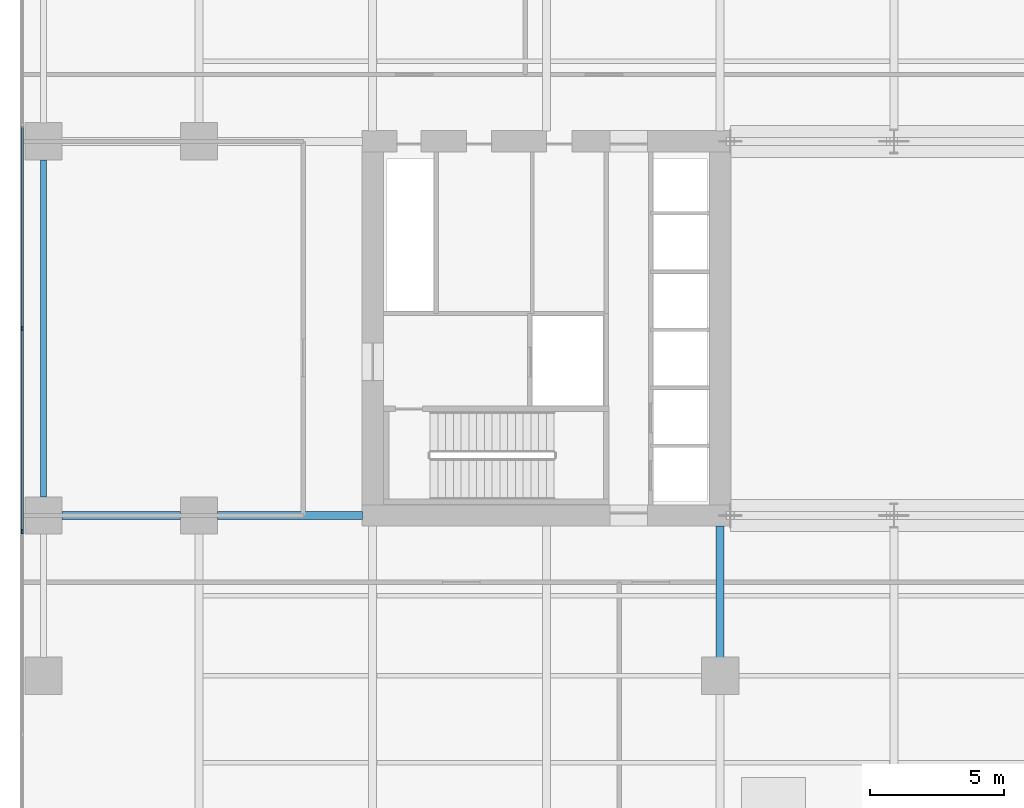
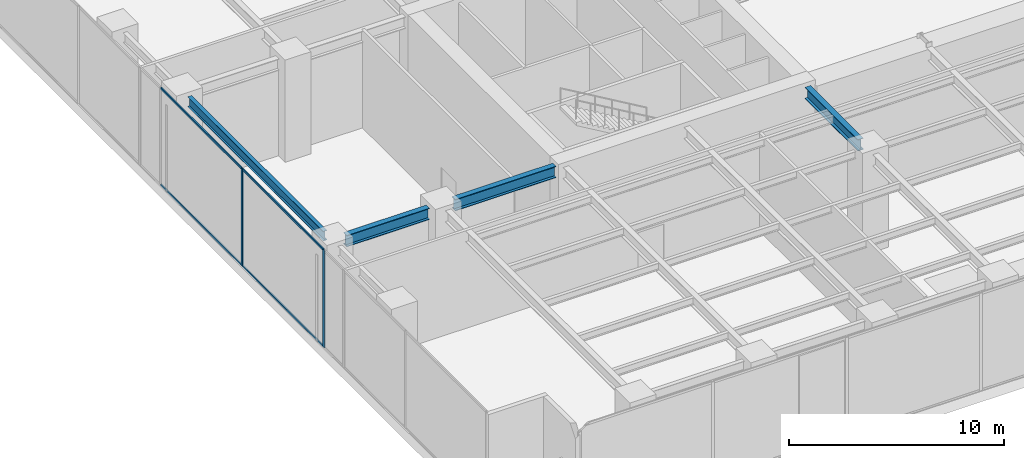
# One storey, part 5 of 25: 6 members, 4 beams, 1 element without a shape of its own.
"""IFC4 building model written with IfcOpenShell, lengths in metres."""

from ifc_helpers import new_model, si_unit, direction, frame, origin, origin_2d, place, context, subcontext, project, spatial, rectangle, i_section, extrude, material, layer, layer_set, material_profile, profile_set, type_object, element, aggregate, save


model = new_model("IFC4")

# Units and contexts
model_context = context("Model", 3, precision=1e-05, world=origin(), true_north=direction((0.0, 1.0)))
body_context = subcontext(model_context, "Body", "Model", "MODEL_VIEW")
ifc_project = project(units=[si_unit("LENGTHUNIT", "METRE"), si_unit("AREAUNIT", "SQUARE_METRE"), si_unit("VOLUMEUNIT", "CUBIC_METRE"), si_unit("PLANEANGLEUNIT", "RADIAN"), si_unit("MASSUNIT", "GRAM", prefix="KILO")], contexts=[model_context])

# Site, building, storey
site_placement = place(None, origin())
site = spatial("IfcSite", under=ifc_project, at=site_placement, CompositionType="ELEMENT")
building_placement = place(site_placement, origin())
building = spatial("IfcBuilding", under=site, at=building_placement, Name="Putna Gate Headquarters", CompositionType="ELEMENT")
storey_placement = place(building_placement, frame((0.0, 0.0, 22.0)))
storey = spatial("IfcBuildingStorey", under=building, at=storey_placement, Name="L04", CompositionType="ELEMENT", Elevation=22.0)

# Beams
ifc_material_1 = material(Name="Steel S355J2", Category="steel")
ifc_material_profile_1 = material_profile(ifc_material_1, i_section(OverallWidth=0.300048828125, OverallDepth=0.64990234375, WebThickness=0.01611328125, FlangeThickness=0.031005859375, at=origin_2d()), Name="Steel S355J2")
ifc_profile_set_1 = profile_set([ifc_material_profile_1], Name="Steel S355J2")
beam_type_1 = type_object("IfcBeamType", Name="BM-GIRD-Z1-HEB650", PredefinedType="USERDEFINED", material=ifc_profile_set_1)
beam_1_placement = place(storey_placement, frame((1.367919921875, 19.0, 5.22509765625), z_axis=(1.0, 0.0, 0.0), x_axis=(0.0, 1.0, 0.0)))
element("IfcBeam", 1, at=beam_1_placement, inside=storey, type_object=beam_type_1, Name="L04 West Wing Girder Y19-1", ObjectType="GIRDER", PredefinedType="USERDEFINED", context=body_context, shape_type="SweptSolid", body=[
    extrude(i_section(OverallWidth=0.300048828125, OverallDepth=0.64990234375, WebThickness=0.01611328125, FlangeThickness=0.031005859375, at=origin_2d()), origin(), (0.0, 0.0, 1.0), 4.444091796875),
])
beam_2_placement = place(storey_placement, frame((7.18798828125, 19.0, 5.22509765625), z_axis=(1.0, 0.0, 0.0), x_axis=(0.0, 1.0, 0.0)))
element("IfcBeam", 2, at=beam_2_placement, inside=storey, type_object=beam_type_1, Name="L04 West Wing Girder Y19-2", ObjectType="GIRDER", PredefinedType="USERDEFINED", context=body_context, shape_type="SweptSolid", body=[
    extrude(i_section(OverallWidth=0.300048828125, OverallDepth=0.64990234375, WebThickness=0.01611328125, FlangeThickness=0.031005859375, at=origin_2d()), origin(), (0.0, 0.0, 1.0), 5.427001953125),
])
beam_3_placement = place(storey_placement, frame((26.0, 13.68798828125, 5.22509765625), z_axis=(0.0, 1.0, 0.0), x_axis=(-1.0, 0.0, 0.0)))
element("IfcBeam", 3, at=beam_3_placement, inside=storey, type_object=beam_type_1, Name="L04 South Primary Girder X26-2", ObjectType="GIRDER", PredefinedType="USERDEFINED", context=body_context, shape_type="SweptSolid", body=[
    extrude(i_section(OverallWidth=0.300048828125, OverallDepth=0.64990234375, WebThickness=0.01611328125, FlangeThickness=0.031005859375, at=origin_2d()), origin(), (0.0, 0.0, 1.0), 4.927001953125),
])
ifc_material_profile_2 = material_profile(ifc_material_1, i_section(OverallWidth=0.2099609375, OverallDepth=0.550048828125, WebThickness=0.010986328125, FlangeThickness=0.01708984375, at=origin_2d()), Name="Steel S355J2")
ifc_profile_set_2 = profile_set([ifc_material_profile_2], Name="Steel S355J2")
beam_type_2 = type_object("IfcBeamType", Name="BM-SPAN-Z1-IPE550", PredefinedType="SPANDREL", material=ifc_profile_set_2)
beam_4_placement = place(storey_placement, frame((0.679931640625, 19.68798828125, 5.27490234375), z_axis=(0.0, 1.0, 0.0), x_axis=(-1.0, 0.0, 0.0)))
element("IfcBeam", 4, at=beam_4_placement, inside=storey, type_object=beam_type_2, Name="L04 W End Spandrel 2", PredefinedType="SPANDREL", context=body_context, shape_type="SweptSolid", body=[
    extrude(i_section(OverallWidth=0.2099609375, OverallDepth=0.550048828125, WebThickness=0.010986328125, FlangeThickness=0.01708984375, at=origin_2d()), origin(), (0.0, 0.0, 1.0), 12.6240234375),
])

# Curtain wall, members
ifc_material_2 = material(Name="Anodised bronze aluminium curtain wall", Category="aluminium")
ifc_layer = layer(ifc_material_2, 0.159912109375)
ifc_layer_set = layer_set([ifc_layer], Name="Anodised bronze aluminium curtain wall")
curtain_wall_type = type_object("IfcCurtainWallType", Name="CW-SYS-CRN", PredefinedType="USERDEFINED", material=ifc_layer_set)
curtain_wall_placement = place(storey_placement, origin())
curtain_wall = element("IfcCurtainWall", 5, at=curtain_wall_placement, inside=storey, type_object=curtain_wall_type, Name="L04 Acoustic Louvre West Enclosure", ObjectType="STICK CURTAIN WALL", PredefinedType="USERDEFINED")
ifc_material_3 = material(Name="Anodised bronze aluminium EN AW-6060", Category="aluminium")
ifc_material_profile_3 = material_profile(ifc_material_3, rectangle(XDim=0.06494140625, YDim=0.159912109375, at=origin_2d()), Name="Anodised bronze aluminium EN AW-6060")
ifc_profile_set_3 = profile_set([ifc_material_profile_3], Name="Anodised bronze aluminium EN AW-6060")
member_type_1 = type_object("IfcMemberType", Name="MULL-CWM-CR", PredefinedType="MULLION", material=ifc_profile_set_3)
member_1_placement = place(storey_placement, frame((-0.1201171875, 18.39990234375, 0.0), z_axis=(0.0, 0.0, 1.0), x_axis=(-1.0, 0.0, 0.0)))
member_1 = element("IfcMember", 6, at=member_1_placement, type_object=member_type_1, Name="CWS-CR mullion 3", PredefinedType="MULLION", context=body_context, shape_type="SweptSolid", body=[
    extrude(rectangle(XDim=0.06494140625, YDim=0.159912109375, at=origin_2d()), origin(), (0.0, 0.0, 1.0), 5.550048828125),
])
member_2_placement = place(storey_placement, frame((-0.1201171875, 26.0, 0.0), z_axis=(0.0, 0.0, 1.0), x_axis=(-1.0, 0.0, 0.0)))
member_2 = element("IfcMember", 7, at=member_2_placement, type_object=member_type_1, Name="CWS-CR mullion 4", PredefinedType="MULLION", context=body_context, shape_type="SweptSolid", body=[
    extrude(rectangle(XDim=0.06494140625, YDim=0.159912109375, at=origin_2d()), origin(), (0.0, 0.0, 1.0), 5.550048828125),
])
ifc_material_profile_4 = material_profile(ifc_material_3, rectangle(XDim=0.06494140625, YDim=0.1201171875, at=origin_2d()), Name="Anodised bronze aluminium EN AW-6060")
ifc_profile_set_4 = profile_set([ifc_material_profile_4], Name="Anodised bronze aluminium EN AW-6060")
member_type_2 = type_object("IfcMemberType", Name="TRAN-CWT-CR", PredefinedType="USERDEFINED", material=ifc_profile_set_4)
member_3_placement = place(storey_placement, frame((-0.1201171875, 18.4326171875, 0.032470703125), z_axis=(0.0, 1.0, 0.0), x_axis=(-1.0, 0.0, 0.0)))
member_3 = element("IfcMember", 8, at=member_3_placement, type_object=member_type_2, Name="CWS-CR transom 3.1", ObjectType="TRANSOM", PredefinedType="USERDEFINED", context=body_context, shape_type="SweptSolid", body=[
    extrude(rectangle(XDim=0.06494140625, YDim=0.1201171875, at=origin_2d()), origin(), (0.0, 0.0, 1.0), 7.534912109375),
])
member_4_placement = place(storey_placement, frame((-0.1201171875, 18.4326171875, 5.517578125), z_axis=(0.0, 1.0, 0.0), x_axis=(-1.0, 0.0, 0.0)))
member_4 = element("IfcMember", 9, at=member_4_placement, type_object=member_type_2, Name="CWS-CR transom 3.2", ObjectType="TRANSOM", PredefinedType="USERDEFINED", context=body_context, shape_type="SweptSolid", body=[
    extrude(rectangle(XDim=0.06494140625, YDim=0.1201171875, at=origin_2d()), origin(), (0.0, 0.0, 1.0), 7.534912109375),
])
member_5_placement = place(storey_placement, frame((-0.1201171875, 26.032470703125, 0.032470703125), z_axis=(0.0, 1.0, 0.0), x_axis=(-1.0, 0.0, 0.0)))
member_5 = element("IfcMember", 10, at=member_5_placement, type_object=member_type_2, Name="CWS-CR transom 4.1", ObjectType="TRANSOM", PredefinedType="USERDEFINED", context=body_context, shape_type="SweptSolid", body=[
    extrude(rectangle(XDim=0.06494140625, YDim=0.1201171875, at=origin_2d()), origin(), (0.0, 0.0, 1.0), 7.534912109375),
])
member_6_placement = place(storey_placement, frame((-0.1201171875, 26.032470703125, 5.517578125), z_axis=(0.0, 1.0, 0.0), x_axis=(-1.0, 0.0, 0.0)))
member_6 = element("IfcMember", 11, at=member_6_placement, type_object=member_type_2, Name="CWS-CR transom 4.2", ObjectType="TRANSOM", PredefinedType="USERDEFINED", context=body_context, shape_type="SweptSolid", body=[
    extrude(rectangle(XDim=0.06494140625, YDim=0.1201171875, at=origin_2d()), origin(), (0.0, 0.0, 1.0), 7.534912109375),
])
aggregate(curtain_wall, [member_1, member_2, member_3, member_4, member_5, member_6])

save(model, "model.ifc")
